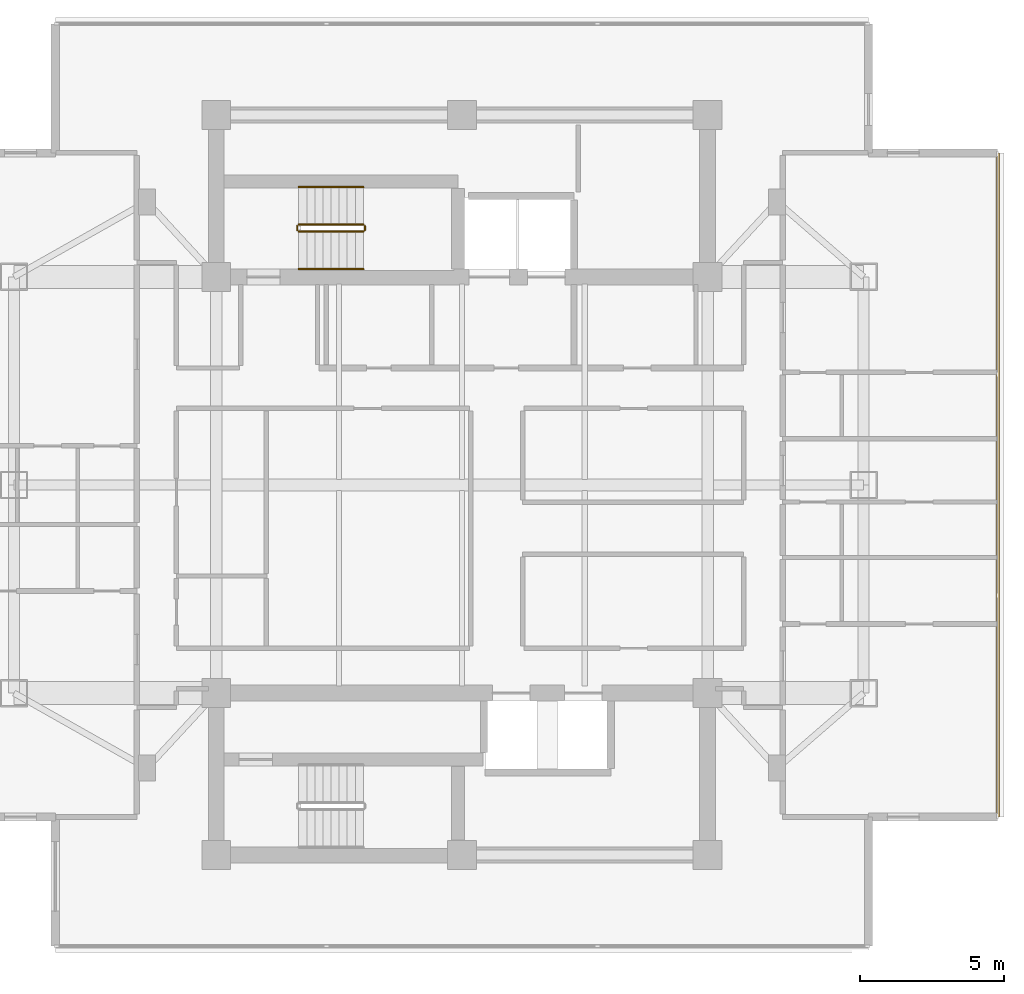
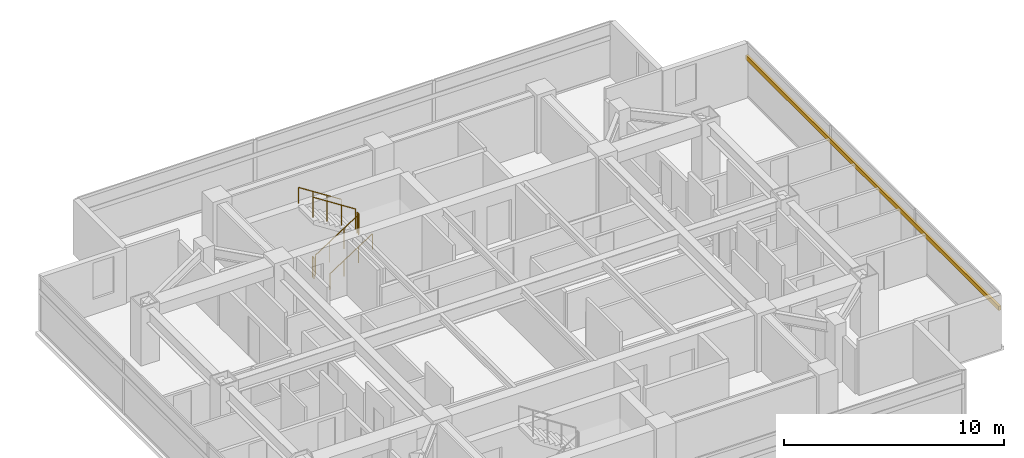
# One storey, part 24 of 25: 6 railings, 1 shading device.
"""IFC4 building model written with IfcOpenShell, lengths in metres."""

from ifc_helpers import new_model, si_unit, direction, frame, origin, origin_2d, place, context, subcontext, project, spatial, rectangle, circle, extrude, material, material_profile, profile_set, type_object, element, save


model = new_model("IFC4")

# Units and contexts
model_context = context("Model", 3, precision=1e-05, world=origin(), true_north=direction((0.0, 1.0)))
body_context = subcontext(model_context, "Body", "Model", "MODEL_VIEW")
ifc_project = project(units=[si_unit("LENGTHUNIT", "METRE"), si_unit("AREAUNIT", "SQUARE_METRE"), si_unit("VOLUMEUNIT", "CUBIC_METRE"), si_unit("PLANEANGLEUNIT", "RADIAN"), si_unit("MASSUNIT", "GRAM", prefix="KILO")], contexts=[model_context])

# Site, building, storey
site_placement = place(None, origin())
site = spatial("IfcSite", under=ifc_project, at=site_placement, CompositionType="ELEMENT")
building_placement = place(site_placement, origin())
building = spatial("IfcBuilding", under=site, at=building_placement, Name="Mirazonda Arch Towers", CompositionType="ELEMENT")
storey_placement = place(building_placement, frame((0.0, 0.0, 180.39990234375)))
storey = spatial("IfcBuildingStorey", under=building, at=storey_placement, Name="L51", CompositionType="ELEMENT", Elevation=180.39990234375)

# Shading device
ifc_material_1 = material(Name="Kiln-Fired Architectural Terracotta", Category="masonry")
ifc_material_profile = material_profile(ifc_material_1, rectangle(XDim=0.1201171875, YDim=0.239990234375, at=origin_2d()), Name="TERRA-BAG-120x240")
ifc_profile_set = profile_set([ifc_material_profile], Name="Kiln-Fired Architectural Terracotta")
shading_device_type = type_object("IfcShadingDeviceType", Name="BAGUETTE-1", PredefinedType="USERDEFINED", material=ifc_profile_set)
shading_device_placement = place(storey_placement, frame((95.03662109375, 16.50732421875, 2.181640625), z_axis=(0.0, 1.0, 0.0), x_axis=(-1.0, 0.0, 0.0)))
element("IfcShadingDevice", 1, at=shading_device_placement, inside=storey, type_object=shading_device_type, Name="L51 Glazed Terracotta Sun-Screen Baguette CW-L51-T2-E", ObjectType="BAGUETTE", PredefinedType="USERDEFINED", context=body_context, shape_type="SweptSolid", body=[
    extrude(rectangle(XDim=0.1201171875, YDim=0.239990234375, at=origin_2d()), origin(), (0.0, 0.0, 1.0), 22.9853515625),
])

# Railings
ifc_material_2 = material(Name="Architectural Brushed Steel S355", Category="steel")
railing_type_1 = type_object("IfcRailingType", Name="GUARD-STAIR-1120", PredefinedType="GUARDRAIL", material=ifc_material_2)
railing_1_placement = place(storey_placement, frame((70.85009765625, 36.77001953125, 0.1806640625)))
element("IfcRailing", 2, at=railing_1_placement, inside=storey, type_object=railing_type_1, Name="L51 ST-T2N stair guard 1", PredefinedType="GUARDRAIL", context=body_context, shape_type="SweptSolid", body=[
    extrude(circle(Radius=0.02392578125, at=origin_2d()), frame((0.0, 0.0, 1.1259765625), z_axis=(0.840436612492, 0.0, 0.541909863706), x_axis=(0.0, 1.0, 0.0)), (0.0, 0.0, 1.0), 2.665283203125),
    extrude(circle(Radius=0.02099609375, at=origin_2d()), origin(), (0.0, 0.0, 1.0), 1.101806640625),
    extrude(circle(Radius=0.02099609375, at=origin_2d()), frame((0.74658203125, 0.0, 0.4814453125)), (0.0, 0.0, 1.0), 1.101806640625),
    extrude(circle(Radius=0.02099609375, at=origin_2d()), frame((1.493408203125, 0.0, 0.962890625)), (0.0, 0.0, 1.0), 1.101806640625),
    extrude(circle(Radius=0.02099609375, at=origin_2d()), frame((2.239990234375, 0.0, 1.4443359375)), (0.0, 0.0, 1.0), 1.101806640625),
])
railing_2_placement = place(storey_placement, frame((73.139892578125, 36.820068359375, 1.625)))
element("IfcRailing", 3, at=railing_2_placement, inside=storey, type_object=railing_type_1, Name="L51 ST-T2N stair guard 2", PredefinedType="GUARDRAIL", context=body_context, shape_type="SweptSolid", body=[
    extrude(circle(Radius=0.02392578125, at=origin_2d()), frame((0.0, 0.0, 1.1259765625), z_axis=(0.0, 1.0, 0.0), x_axis=(-1.0, 0.0, 0.0)), (0.0, 0.0, 1.0), 0.139892578125),
    extrude(circle(Radius=0.02099609375, at=origin_2d()), origin(), (0.0, 0.0, 1.0), 1.101806640625),
    extrude(circle(Radius=0.02099609375, at=origin_2d()), frame((0.0, 0.139892578125, 0.0)), (0.0, 0.0, 1.0), 1.101806640625),
])
railing_3_placement = place(storey_placement, frame((73.090087890625, 37.010009765625, 1.8056640625)))
element("IfcRailing", 4, at=railing_3_placement, inside=storey, type_object=railing_type_1, Name="L51 ST-T2N stair guard 3", PredefinedType="GUARDRAIL", context=body_context, shape_type="SweptSolid", body=[
    extrude(circle(Radius=0.02392578125, at=origin_2d()), frame((0.0, 0.0, 1.1259765625), z_axis=(-0.840436612492, 0.0, 0.541909863706), x_axis=(0.0, -1.0, 0.0)), (0.0, 0.0, 1.0), 2.665283203125),
    extrude(circle(Radius=0.02099609375, at=origin_2d()), origin(), (0.0, 0.0, 1.0), 1.101806640625),
    extrude(circle(Radius=0.02099609375, at=origin_2d()), frame((-0.74658203125, 0.0, 0.4814453125)), (0.0, 0.0, 1.0), 1.101806640625),
    extrude(circle(Radius=0.02099609375, at=origin_2d()), frame((-1.493408203125, 0.0, 0.962890625)), (0.0, 0.0, 1.0), 1.101806640625),
    extrude(circle(Radius=0.02099609375, at=origin_2d()), frame((-2.239990234375, 0.0, 1.4443359375)), (0.0, 0.0, 1.0), 1.101806640625),
])
railing_4_placement = place(storey_placement, frame((70.800048828125, 36.820068359375, 0.0)))
element("IfcRailing", 5, at=railing_4_placement, inside=storey, type_object=railing_type_1, Name="L51 ST-T2N stair guard 4", PredefinedType="GUARDRAIL", context=body_context, shape_type="SweptSolid", body=[
    extrude(circle(Radius=0.02392578125, at=origin_2d()), frame((0.0, 0.0, 1.1259765625), z_axis=(0.0, 1.0, 0.0), x_axis=(-1.0, 0.0, 0.0)), (0.0, 0.0, 1.0), 0.139892578125),
    extrude(circle(Radius=0.02099609375, at=origin_2d()), origin(), (0.0, 0.0, 1.0), 1.101806640625),
    extrude(circle(Radius=0.02099609375, at=origin_2d()), frame((0.0, 0.139892578125, 0.0)), (0.0, 0.0, 1.0), 1.101806640625),
])
railing_type_2 = type_object("IfcRailingType", Name="HANDRAIL-915", PredefinedType="HANDRAIL", material=ifc_material_2)
railing_5_placement = place(storey_placement, frame((70.85009765625, 35.469970703125, 0.1806640625)))
element("IfcRailing", 6, at=railing_5_placement, inside=storey, type_object=railing_type_2, Name="L51 ST-T2N stair handrail 1", PredefinedType="HANDRAIL", context=body_context, shape_type="SweptSolid", body=[
    extrude(circle(Radius=0.02392578125, at=origin_2d()), frame((0.0, 0.0, 0.8759765625), z_axis=(0.840436612492, 0.0, 0.541909863706), x_axis=(0.0, 1.0, 0.0)), (0.0, 0.0, 1.0), 2.665283203125),
    extrude(circle(Radius=0.02099609375, at=origin_2d()), origin(), (0.0, 0.0, 1.0), 0.851806640625),
    extrude(circle(Radius=0.02099609375, at=origin_2d()), frame((0.74658203125, 0.0, 0.4814453125)), (0.0, 0.0, 1.0), 0.851806640625),
    extrude(circle(Radius=0.02099609375, at=origin_2d()), frame((1.493408203125, 0.0, 0.962890625)), (0.0, 0.0, 1.0), 0.851806640625),
    extrude(circle(Radius=0.02099609375, at=origin_2d()), frame((2.239990234375, 0.0, 1.4443359375)), (0.0, 0.0, 1.0), 0.851806640625),
])
railing_6_placement = place(storey_placement, frame((73.090087890625, 38.31005859375, 1.8056640625)))
element("IfcRailing", 7, at=railing_6_placement, inside=storey, type_object=railing_type_2, Name="L51 ST-T2N stair handrail 2", PredefinedType="HANDRAIL", context=body_context, shape_type="SweptSolid", body=[
    extrude(circle(Radius=0.02392578125, at=origin_2d()), frame((0.0, 0.0, 0.8759765625), z_axis=(-0.840436612492, 0.0, 0.541909863706), x_axis=(0.0, -1.0, 0.0)), (0.0, 0.0, 1.0), 2.665283203125),
    extrude(circle(Radius=0.02099609375, at=origin_2d()), origin(), (0.0, 0.0, 1.0), 0.851806640625),
    extrude(circle(Radius=0.02099609375, at=origin_2d()), frame((-0.74658203125, 0.0, 0.4814453125)), (0.0, 0.0, 1.0), 0.851806640625),
    extrude(circle(Radius=0.02099609375, at=origin_2d()), frame((-1.493408203125, 0.0, 0.962890625)), (0.0, 0.0, 1.0), 0.851806640625),
    extrude(circle(Radius=0.02099609375, at=origin_2d()), frame((-2.239990234375, 0.0, 1.4443359375)), (0.0, 0.0, 1.0), 0.851806640625),
])

save(model, "model.ifc")
